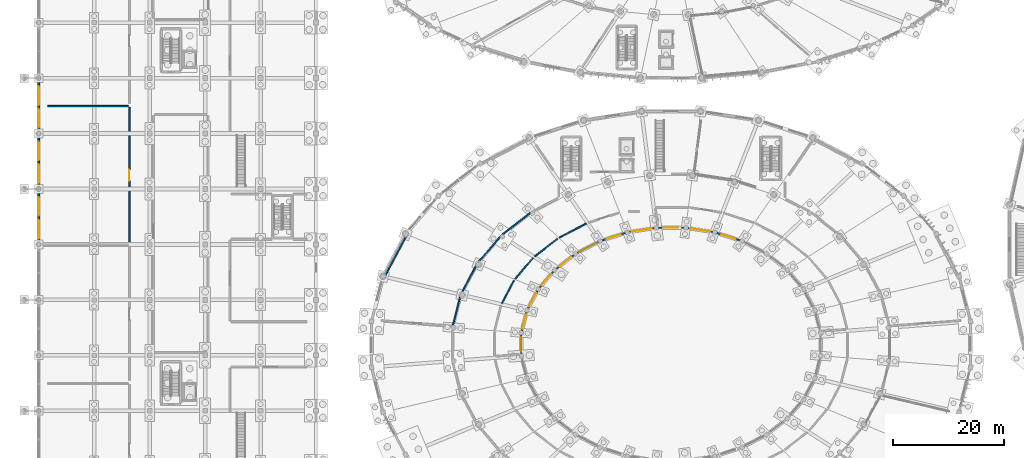
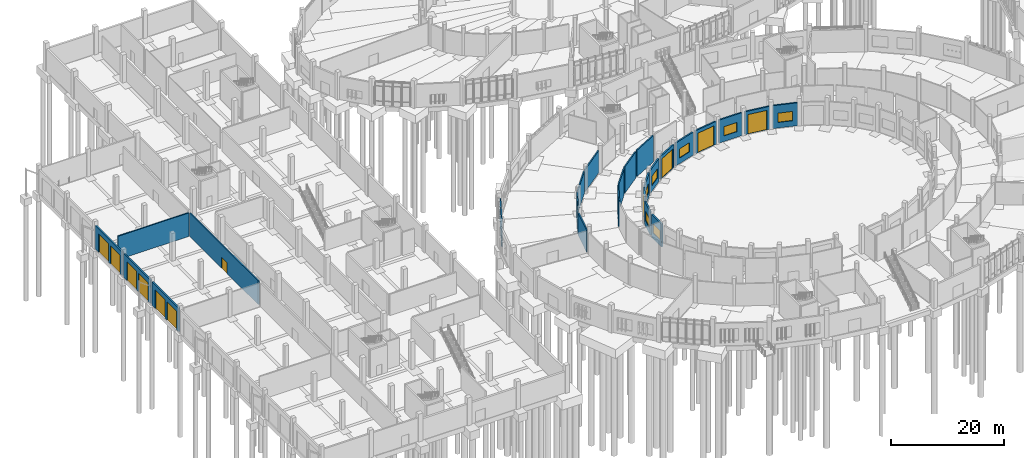
# One storey, part 80 of 140: 25 walls, 10 doors, 8 windows, 18 openings.
"""IFC4 building model written with IfcOpenShell, lengths in metres."""

from ifc_helpers import new_model, si_unit, direction, frame, frame_2d, origin, place, context, subcontext, project, spatial, rectangle, extrude, material, layer, layer_set, type_object, element, fill, save


model = new_model("IFC4")

# Units and contexts
model_context = context("Model", 3, precision=1e-05, world=origin(), true_north=direction((0.0, 1.0)))
body_context = subcontext(model_context, "Body", "Model", "MODEL_VIEW")
ifc_project = project(units=[si_unit("LENGTHUNIT", "METRE"), si_unit("AREAUNIT", "SQUARE_METRE"), si_unit("VOLUMEUNIT", "CUBIC_METRE"), si_unit("PLANEANGLEUNIT", "RADIAN"), si_unit("MASSUNIT", "GRAM", prefix="KILO")], contexts=[model_context])

# Site, building, storey
site_placement = place(None, origin())
site = spatial("IfcSite", under=ifc_project, at=site_placement, CompositionType="ELEMENT")
building_placement = place(site_placement, origin())
building = spatial("IfcBuilding", under=site, at=building_placement, Name="Corvandel Quay Wholesale Market", CompositionType="ELEMENT")
storey_placement = place(building_placement, origin())
storey = spatial("IfcBuildingStorey", under=building, at=storey_placement, Name="L00", CompositionType="ELEMENT", Elevation=0.0)

# Walls
ifc_material_1 = material(Name="Lightweight concrete blockwork", Category="masonry")
ifc_layer_1 = layer(ifc_material_1, 0.239990234375)
ifc_layer_set_1 = layer_set([ifc_layer_1], Name="Lightweight concrete blockwork")
wall_type_1 = type_object("IfcWallType", Name="Fire Compartment Partition PT01 240", PredefinedType="PARTITIONING", material=ifc_layer_set_1)
wall_1_placement = place(storey_placement, frame((62.44140625, 54.34326171875, 0.0), z_axis=(0.0, 0.0, 1.0), x_axis=(0.470163984021, 0.88257907755, 0.0)))
element("IfcWall", 1, at=wall_1_placement, inside=storey, type_object=wall_type_1, Name="Interior Wall IW-0369", PredefinedType="PARTITIONING", context=body_context, shape_type="SweptSolid", body=[
    extrude(rectangle(XDim=8.155029296875, YDim=0.239990234375, at=frame_2d((4.07763671875, 0.0))), origin(), (0.0, 0.0, 1.0), 4.830078125),
])
wall_2_placement = place(storey_placement, frame((88.71630859375, 65.7509765625, 0.0), z_axis=(0.0, 0.0, 1.0), x_axis=(-0.78948991775, -0.613763529197, 0.0)))
element("IfcWall", 2, at=wall_2_placement, inside=storey, type_object=wall_type_1, Name="Interior Wall IW-0373", PredefinedType="PARTITIONING", context=body_context, shape_type="SweptSolid", body=[
    extrude(rectangle(XDim=6.490966796875, YDim=0.239990234375, at=frame_2d((3.24560546875, 0.0))), origin(), (0.0, 0.0, 1.0), 4.780029296875),
])
wall_3_placement = place(storey_placement, frame((83.2744140625, 61.465087890625, 0.0), z_axis=(0.0, 0.0, 1.0), x_axis=(-0.65209276893, -0.75813918294, 0.0)))
element("IfcWall", 3, at=wall_3_placement, inside=storey, type_object=wall_type_1, Name="Interior Wall IW-0374", PredefinedType="PARTITIONING", context=body_context, shape_type="SweptSolid", body=[
    extrude(rectangle(XDim=6.190673828125, YDim=0.239990234375, at=frame_2d((3.09521484375, 0.0))), origin(), (0.0, 0.0, 1.0), 4.780029296875),
])
wall_4_placement = place(storey_placement, frame((78.990478515625, 56.410888671875, 0.0), z_axis=(0.0, 0.0, 1.0), x_axis=(-0.4709558388, -0.882156787595, 0.0)))
element("IfcWall", 4, at=wall_4_placement, inside=storey, type_object=wall_type_1, Name="Interior Wall IW-0375", PredefinedType="PARTITIONING", context=body_context, shape_type="SweptSolid", body=[
    extrude(rectangle(XDim=5.928466796875, YDim=0.239990234375, at=frame_2d((2.96435546875, 0.0))), origin(), (0.0, 0.0, 1.0), 4.780029296875),
])
wall_5_placement = place(storey_placement, frame((76.040283203125, 50.77392578125, 0.0), z_axis=(0.0, 0.0, 1.0), x_axis=(-0.248144059194, -0.968723142021, 0.0)))
element("IfcWall", 5, at=wall_5_placement, inside=storey, type_object=wall_type_1, Name="Interior Wall IW-0376", PredefinedType="PARTITIONING", context=body_context, shape_type="SweptSolid", body=[
    extrude(rectangle(XDim=5.434814453125, YDim=0.239990234375, at=frame_2d((2.71728515625, 0.0))), origin(), (0.0, 0.0, 1.0), 4.780029296875),
])
wall_6_placement = place(storey_placement, frame((83.497314453125, 49.375244140625, 0.0), z_axis=(0.0, 0.0, 1.0), x_axis=(0.469990490092, 0.882671478651, 0.0)))
element("IfcWall", 6, at=wall_6_placement, inside=storey, type_object=wall_type_1, Name="Interior Wall IW-0416", PredefinedType="PARTITIONING", context=body_context, shape_type="SweptSolid", body=[
    extrude(rectangle(XDim=4.6435546875, YDim=0.239990234375, at=frame_2d((2.32177734375, 0.0))), origin(), (0.0, 0.0, 1.0), 5.679931640625),
])
wall_7_placement = place(storey_placement, frame((85.926513671875, 53.8349609375, 0.0), z_axis=(0.0, 0.0, 1.0), x_axis=(0.651612898083, 0.758551666699, 0.0)))
element("IfcWall", 7, at=wall_7_placement, inside=storey, type_object=wall_type_1, Name="Interior Wall IW-0417", PredefinedType="PARTITIONING", context=body_context, shape_type="SweptSolid", body=[
    extrude(rectangle(XDim=4.892578125, YDim=0.239990234375, at=frame_2d((2.4462890625, 0.0))), origin(), (0.0, 0.0, 1.0), 5.679931640625),
])
wall_8_placement = place(storey_placement, frame((89.431640625, 57.84814453125, 0.0), z_axis=(0.0, 0.0, 1.0), x_axis=(0.789326793675, 0.613973299734, 0.0)))
element("IfcWall", 8, at=wall_8_placement, inside=storey, type_object=wall_type_1, Name="Interior Wall IW-0418", PredefinedType="PARTITIONING", context=body_context, shape_type="SweptSolid", body=[
    extrude(rectangle(XDim=5.1708984375, YDim=0.239990234375, at=frame_2d((2.58544921875, 0.0))), origin(), (0.0, 0.0, 1.0), 5.679931640625),
])
wall_9_placement = place(storey_placement, frame((93.882080078125, 61.259521484375, 0.0), z_axis=(0.0, 0.0, 1.0), x_axis=(0.88734982981, 0.461096822301, 0.0)))
element("IfcWall", 9, at=wall_9_placement, inside=storey, type_object=wall_type_1, Name="Interior Wall IW-0419", PredefinedType="PARTITIONING", context=body_context, shape_type="SweptSolid", body=[
    extrude(rectangle(XDim=5.437255859375, YDim=0.239990234375, at=frame_2d((2.71875, 0.0))), origin(), (0.0, 0.0, 1.0), 5.679931640625),
])
wall_10_placement = place(storey_placement, frame((1.669921875, 84.93994140625, 0.0), z_axis=(0.0, 0.0, 1.0), x_axis=(1.0, 0.0, 0.0)))
element("IfcWall", 10, at=wall_10_placement, inside=storey, type_object=wall_type_1, Name="Interior Wall IW-0769", PredefinedType="PARTITIONING", context=body_context, shape_type="SweptSolid", body=[
    extrude(rectangle(XDim=14.4501953125, YDim=0.239990234375, at=frame_2d((7.22509765625, 0.0))), origin(), (0.0, 0.0, 1.0), 5.080078125),
])

# Wall, opening, door
wall_11_placement = place(storey_placement, frame((16.340087890625, 84.719970703125, 0.0), z_axis=(0.0, 0.0, 1.0), x_axis=(0.0, -1.0, 0.0)))
wall_11 = element("IfcWall", 11, at=wall_11_placement, inside=storey, type_object=wall_type_1, Name="Interior Wall IW-0770", PredefinedType="PARTITIONING", context=body_context, shape_type="SweptSolid", body=[
    extrude(rectangle(XDim=24.239990234375, YDim=0.239990234375, at=frame_2d((12.1201171875, 0.0))), origin(), (0.0, 0.0, 1.0), 5.080078125),
])
opening_1_placement = place(wall_11_placement, frame((11.27001953125, 0.0, 0.0)))
opening_1 = element("IfcOpeningElement", 12, at=opening_1_placement, cuts=wall_11, Name="Opening L00-D112", PredefinedType="OPENING", context=body_context, shape_type="SweptSolid", body=[
    extrude(rectangle(XDim=2.0, YDim=2.35009765625, at=frame_2d((1.0, 1.175048828125))), frame((0.0, 0.1298828125, 0.0), z_axis=(0.0, -1.0, 0.0), x_axis=(1.0, 0.0, 0.0)), (0.0, 0.0, 1.0), 0.260009765625),
])
ifc_material_2 = material(Name="Heavy-duty anodised aluminium", Category="aluminium")
door_type_1 = type_object("IfcDoorType", Name="Trading Stall Double Door ID05 2000x2350", OperationType="DOUBLE_DOOR_SINGLE_SWING", PredefinedType="DOOR", material=ifc_material_2)
door_1_placement = place(opening_1_placement, origin())
door_1 = element("IfcDoor", 13, at=door_1_placement, inside=storey, type_object=door_type_1, Name="Refrigerated Truck Loading Dock Bay 3 Door", OperationType="DOUBLE_DOOR_SINGLE_SWING", OverallHeight=2.35009765625, OverallWidth=2.0, PredefinedType="DOOR", context=body_context, shape_type="SweptSolid", body=[
    extrude(rectangle(XDim=2.0, YDim=2.35009765625, at=frame_2d((1.0, 1.175048828125))), frame((0.0, 0.02490234375, 0.0), z_axis=(0.0, -1.0, 0.0), x_axis=(1.0, 0.0, 0.0)), (0.0, 0.0, 1.0), 0.050048828125),
])
fill(opening_1, door_1)

# Wall, opening, window
ifc_material_3 = material(Name="Precast concrete C45/55", Category="concrete")
ifc_layer_2 = layer(ifc_material_3, 0.300048828125)
ifc_layer_set_2 = layer_set([ifc_layer_2], Name="Precast concrete C45/55")
wall_type_2 = type_object("IfcWallType", Name="Loading Dock Apron Precast Wall EW05 300", PredefinedType="SOLIDWALL", material=ifc_layer_set_2)
wall_12_placement = place(storey_placement, frame((126.5224609375, 60.69580078125, 0.0), z_axis=(0.0, 0.0, 1.0), x_axis=(-0.951803081213, 0.306709788879, 0.0)))
wall_12 = element("IfcWall", 14, at=wall_12_placement, inside=storey, type_object=wall_type_2, Name="Exterior Wall EW-0017", PredefinedType="SOLIDWALL", context=body_context, shape_type="SweptSolid", body=[
    extrude(rectangle(XDim=4.6015625, YDim=0.300048828125, at=frame_2d((2.30078125, 0.0))), origin(), (0.0, 0.0, 1.0), 4.949951171875),
])
opening_2_placement = place(wall_12_placement, frame((1.0009765625, 0.0, 1.199951171875)))
opening_2 = element("IfcOpeningElement", 15, at=opening_2_placement, cuts=wall_12, Name="Opening L00-W010", PredefinedType="OPENING", context=body_context, shape_type="SweptSolid", body=[
    extrude(rectangle(XDim=2.60009765625, YDim=2.0, at=frame_2d((1.300048828125, 1.0))), frame((0.0, 0.159912109375, 0.0), z_axis=(0.0, -1.0, 0.0), x_axis=(1.0, 0.0, 0.0)), (0.0, 0.0, 1.0), 0.320068359375),
])
ifc_material_4 = material(Name="Thermally broken bronze anodised aluminium and solar-control low-E double glazing", Category="aluminium")
window_type = type_object("IfcWindowType", Name="Yard Overlook Window WN05 2600x2000", PartitioningType="SINGLE_PANEL", PredefinedType="WINDOW", material=ifc_material_4)
window_1_placement = place(opening_2_placement, origin())
window_1 = element("IfcWindow", 16, at=window_1_placement, inside=storey, type_object=window_type, Name="Window L00-W010", OverallHeight=2.0, OverallWidth=2.60009765625, PartitioningType="SINGLE_PANEL", PredefinedType="WINDOW", context=body_context, shape_type="SweptSolid", body=[
    extrude(rectangle(XDim=2.60009765625, YDim=2.0, at=frame_2d((1.300048828125, 1.0))), frame((0.0, 0.030029296875, 0.0), z_axis=(0.0, -1.0, 0.0), x_axis=(1.0, 0.0, 0.0)), (0.0, 0.0, 1.0), 0.06005859375),
])
fill(opening_2, window_1)

# Wall, opening, door
wall_13_placement = place(storey_placement, frame((121.599365234375, 62.23583984375, 0.0), z_axis=(0.0, 0.0, 1.0), x_axis=(-0.988245159336, 0.152877418377, 0.0)))
wall_13 = element("IfcWall", 17, at=wall_13_placement, inside=storey, type_object=wall_type_2, Name="Exterior Wall EW-0019", PredefinedType="SOLIDWALL", context=body_context, shape_type="SweptSolid", body=[
    extrude(rectangle(XDim=4.718994140625, YDim=0.300048828125, at=frame_2d((2.359375, 0.0))), origin(), (0.0, 0.0, 1.0), 4.949951171875),
])
opening_3_placement = place(wall_13_placement, frame((0.56005859375, 0.0, 0.0)))
opening_3 = element("IfcOpeningElement", 18, at=opening_3_placement, cuts=wall_13, Name="Opening L00-D003", PredefinedType="OPENING", context=body_context, shape_type="SweptSolid", body=[
    extrude(rectangle(XDim=3.60009765625, YDim=4.199951171875, at=frame_2d((1.800048828125, 2.10009765625))), frame((0.0, 0.159912109375, 0.0), z_axis=(0.0, -1.0, 0.0), x_axis=(1.0, 0.0, 0.0)), (0.0, 0.0, 1.0), 0.320068359375),
])
ifc_material_5 = material(Name="Perforated galvanised steel slats", Category="steel")
door_type_2 = type_object("IfcDoorType", Name="Produce Yard Apron Roller Shutter RS02 3600x4200", OperationType="ROLLINGUP", PredefinedType="DOOR", material=ifc_material_5)
door_2_placement = place(opening_3_placement, origin())
door_2 = element("IfcDoor", 19, at=door_2_placement, inside=storey, type_object=door_type_2, Name="Yard Loading Door V1-06", OperationType="ROLLINGUP", OverallHeight=4.199951171875, OverallWidth=3.60009765625, PredefinedType="DOOR", context=body_context, shape_type="SweptSolid", body=[
    extrude(rectangle(XDim=3.60009765625, YDim=4.199951171875, at=frame_2d((1.800048828125, 2.10009765625))), frame((0.0, 0.02490234375, 0.0), z_axis=(0.0, -1.0, 0.0), x_axis=(1.0, 0.0, 0.0)), (0.0, 0.0, 1.0), 0.050048828125),
])
fill(opening_3, door_2)

# Wall, opening, window
wall_14_placement = place(storey_placement, frame((116.37890625, 63.0, 0.0), z_axis=(0.0, 0.0, 1.0), x_axis=(-1.0, 0.0, 0.0)))
wall_14 = element("IfcWall", 20, at=wall_14_placement, inside=storey, type_object=wall_type_2, Name="Exterior Wall EW-0021", PredefinedType="SOLIDWALL", context=body_context, shape_type="SweptSolid", body=[
    extrude(rectangle(XDim=4.7578125, YDim=0.300048828125, at=frame_2d((2.37890625, 0.0))), origin(), (0.0, 0.0, 1.0), 4.949951171875),
])
opening_4_placement = place(wall_14_placement, frame((1.0791015625, 0.0, 1.199951171875)))
opening_4 = element("IfcOpeningElement", 21, at=opening_4_placement, cuts=wall_14, Name="Opening L00-W013", PredefinedType="OPENING", context=body_context, shape_type="SweptSolid", body=[
    extrude(rectangle(XDim=2.60009765625, YDim=2.0, at=frame_2d((1.300048828125, 1.0))), frame((0.0, 0.159912109375, 0.0), z_axis=(0.0, -1.0, 0.0), x_axis=(1.0, 0.0, 0.0)), (0.0, 0.0, 1.0), 0.320068359375),
])
window_2_placement = place(opening_4_placement, origin())
window_2 = element("IfcWindow", 22, at=window_2_placement, inside=storey, type_object=window_type, Name="Window L00-W013", OverallHeight=2.0, OverallWidth=2.60009765625, PartitioningType="SINGLE_PANEL", PredefinedType="WINDOW", context=body_context, shape_type="SweptSolid", body=[
    extrude(rectangle(XDim=2.60009765625, YDim=2.0, at=frame_2d((1.300048828125, 1.0))), frame((0.0, 0.030029296875, 0.0), z_axis=(0.0, -1.0, 0.0), x_axis=(1.0, 0.0, 0.0)), (0.0, 0.0, 1.0), 0.06005859375),
])
fill(opening_4, window_2)

# Wall, opening, door
wall_15_placement = place(storey_placement, frame((111.064208984375, 62.957275390625, 0.0), z_axis=(0.0, 0.0, 1.0), x_axis=(-0.988245159336, -0.152877418377, 0.0)))
wall_15 = element("IfcWall", 23, at=wall_15_placement, inside=storey, type_object=wall_type_2, Name="Exterior Wall EW-0024", PredefinedType="SOLIDWALL", context=body_context, shape_type="SweptSolid", body=[
    extrude(rectangle(XDim=4.718994140625, YDim=0.300048828125, at=frame_2d((2.359375, 0.0))), origin(), (0.0, 0.0, 1.0), 4.949951171875),
])
opening_5_placement = place(wall_15_placement, frame((0.56005859375, 0.0, 0.0)))
opening_5 = element("IfcOpeningElement", 24, at=opening_5_placement, cuts=wall_15, Name="Opening L00-D006", PredefinedType="OPENING", context=body_context, shape_type="SweptSolid", body=[
    extrude(rectangle(XDim=3.60009765625, YDim=4.199951171875, at=frame_2d((1.800048828125, 2.10009765625))), frame((0.0, 0.159912109375, 0.0), z_axis=(0.0, -1.0, 0.0), x_axis=(1.0, 0.0, 0.0)), (0.0, 0.0, 1.0), 0.320068359375),
])
door_3_placement = place(opening_5_placement, origin())
door_3 = element("IfcDoor", 25, at=door_3_placement, inside=storey, type_object=door_type_2, Name="Yard Loading Door V1-08", OperationType="ROLLINGUP", OverallHeight=4.199951171875, OverallWidth=3.60009765625, PredefinedType="DOOR", context=body_context, shape_type="SweptSolid", body=[
    extrude(rectangle(XDim=3.60009765625, YDim=4.199951171875, at=frame_2d((1.800048828125, 2.10009765625))), frame((0.0, 0.02490234375, 0.0), z_axis=(0.0, -1.0, 0.0), x_axis=(1.0, 0.0, 0.0)), (0.0, 0.0, 1.0), 0.050048828125),
])
fill(opening_5, door_3)

# Wall, opening, window
wall_16_placement = place(storey_placement, frame((105.857421875, 62.107177734375, 0.0), z_axis=(0.0, 0.0, 1.0), x_axis=(-0.951803081213, -0.306709788879, 0.0)))
wall_16 = element("IfcWall", 26, at=wall_16_placement, inside=storey, type_object=wall_type_2, Name="Exterior Wall EW-0027", PredefinedType="SOLIDWALL", context=body_context, shape_type="SweptSolid", body=[
    extrude(rectangle(XDim=4.6015625, YDim=0.300048828125, at=frame_2d((2.30078125, 0.0))), origin(), (0.0, 0.0, 1.0), 4.949951171875),
])
opening_6_placement = place(wall_16_placement, frame((1.0009765625, 0.0, 1.199951171875)))
opening_6 = element("IfcOpeningElement", 27, at=opening_6_placement, cuts=wall_16, Name="Opening L00-W016", PredefinedType="OPENING", context=body_context, shape_type="SweptSolid", body=[
    extrude(rectangle(XDim=2.60009765625, YDim=2.0, at=frame_2d((1.300048828125, 1.0))), frame((0.0, 0.159912109375, 0.0), z_axis=(0.0, -1.0, 0.0), x_axis=(1.0, 0.0, 0.0)), (0.0, 0.0, 1.0), 0.320068359375),
])
window_3_placement = place(opening_6_placement, origin())
window_3 = element("IfcWindow", 28, at=window_3_placement, inside=storey, type_object=window_type, Name="Window L00-W016", OverallHeight=2.0, OverallWidth=2.60009765625, PartitioningType="SINGLE_PANEL", PredefinedType="WINDOW", context=body_context, shape_type="SweptSolid", body=[
    extrude(rectangle(XDim=2.60009765625, YDim=2.0, at=frame_2d((1.300048828125, 1.0))), frame((0.0, 0.030029296875, 0.0), z_axis=(0.0, -1.0, 0.0), x_axis=(1.0, 0.0, 0.0)), (0.0, 0.0, 1.0), 0.06005859375),
])
fill(opening_6, window_3)

# Wall, opening, door
wall_17_placement = place(storey_placement, frame((100.96240234375, 60.48095703125, 0.0), z_axis=(0.0, 0.0, 1.0), x_axis=(-0.887318897671, -0.461156344243, 0.0)))
wall_17 = element("IfcWall", 29, at=wall_17_placement, inside=storey, type_object=wall_type_2, Name="Exterior Wall EW-0029", PredefinedType="SOLIDWALL", context=body_context, shape_type="SweptSolid", body=[
    extrude(rectangle(XDim=4.423095703125, YDim=0.300048828125, at=frame_2d((2.21142578125, 0.0))), origin(), (0.0, 0.0, 1.0), 4.949951171875),
])
opening_7_placement = place(wall_17_placement, frame((0.412109375, 0.0, 0.0)))
opening_7 = element("IfcOpeningElement", 30, at=opening_7_placement, cuts=wall_17, Name="Opening L00-D007", PredefinedType="OPENING", context=body_context, shape_type="SweptSolid", body=[
    extrude(rectangle(XDim=3.60009765625, YDim=4.199951171875, at=frame_2d((1.800048828125, 2.10009765625))), frame((0.0, 0.159912109375, 0.0), z_axis=(0.0, -1.0, 0.0), x_axis=(1.0, 0.0, 0.0)), (0.0, 0.0, 1.0), 0.320068359375),
])
door_4_placement = place(opening_7_placement, origin())
door_4 = element("IfcDoor", 31, at=door_4_placement, inside=storey, type_object=door_type_2, Name="Yard Loading Door V1-10", OperationType="ROLLINGUP", OverallHeight=4.199951171875, OverallWidth=3.60009765625, PredefinedType="DOOR", context=body_context, shape_type="SweptSolid", body=[
    extrude(rectangle(XDim=3.60009765625, YDim=4.199951171875, at=frame_2d((1.800048828125, 2.10009765625))), frame((0.0, 0.02490234375, 0.0), z_axis=(0.0, -1.0, 0.0), x_axis=(1.0, 0.0, 0.0)), (0.0, 0.0, 1.0), 0.050048828125),
])
fill(opening_7, door_4)

# Wall, opening, window
wall_18_placement = place(storey_placement, frame((96.568115234375, 58.14013671875, 0.0), z_axis=(0.0, 0.0, 1.0), x_axis=(-0.789377228816, -0.613908454598, 0.0)))
wall_18 = element("IfcWall", 32, at=wall_18_placement, inside=storey, type_object=wall_type_2, Name="Exterior Wall EW-0033", PredefinedType="SOLIDWALL", context=body_context, shape_type="SweptSolid", body=[
    extrude(rectangle(XDim=4.20458984375, YDim=0.300048828125, at=frame_2d((2.102294921875, 0.0))), origin(), (0.0, 0.0, 1.0), 4.949951171875),
])
opening_8_placement = place(wall_18_placement, frame((0.802001953125, 0.0, 1.199951171875)))
opening_8 = element("IfcOpeningElement", 33, at=opening_8_placement, cuts=wall_18, Name="Opening L00-W019", PredefinedType="OPENING", context=body_context, shape_type="SweptSolid", body=[
    extrude(rectangle(XDim=2.60009765625, YDim=2.0, at=frame_2d((1.300048828125, 1.0))), frame((0.0, 0.159912109375, 0.0), z_axis=(0.0, -1.0, 0.0), x_axis=(1.0, 0.0, 0.0)), (0.0, 0.0, 1.0), 0.320068359375),
])
window_4_placement = place(opening_8_placement, origin())
window_4 = element("IfcWindow", 34, at=window_4_placement, inside=storey, type_object=window_type, Name="Window L00-W019", OverallHeight=2.0, OverallWidth=2.60009765625, PartitioningType="SINGLE_PANEL", PredefinedType="WINDOW", context=body_context, shape_type="SweptSolid", body=[
    extrude(rectangle(XDim=2.60009765625, YDim=2.0, at=frame_2d((1.300048828125, 1.0))), frame((0.0, 0.030029296875, 0.0), z_axis=(0.0, -1.0, 0.0), x_axis=(1.0, 0.0, 0.0)), (0.0, 0.0, 1.0), 0.06005859375),
])
fill(opening_8, window_4)

wall_19_placement = place(storey_placement, frame((92.845458984375, 55.174560546875, 0.0), z_axis=(0.0, 0.0, 1.0), x_axis=(-0.651580132855, -0.758579811535, 0.0)))
wall_19 = element("IfcWall", 35, at=wall_19_placement, inside=storey, type_object=wall_type_2, Name="Exterior Wall EW-0035", PredefinedType="SOLIDWALL", context=body_context, shape_type="SweptSolid", body=[
    extrude(rectangle(XDim=3.974609375, YDim=0.300048828125, at=frame_2d((1.9873046875, 0.0))), origin(), (0.0, 0.0, 1.0), 4.949951171875),
])
opening_9_placement = place(wall_19_placement, frame((0.68701171875, 0.0, 1.199951171875)))
opening_9 = element("IfcOpeningElement", 36, at=opening_9_placement, cuts=wall_19, Name="Opening L00-W022", PredefinedType="OPENING", context=body_context, shape_type="SweptSolid", body=[
    extrude(rectangle(XDim=2.60009765625, YDim=2.0, at=frame_2d((1.300048828125, 1.0))), frame((0.0, 0.159912109375, 0.0), z_axis=(0.0, -1.0, 0.0), x_axis=(1.0, 0.0, 0.0)), (0.0, 0.0, 1.0), 0.320068359375),
])
window_5_placement = place(opening_9_placement, origin())
window_5 = element("IfcWindow", 37, at=window_5_placement, inside=storey, type_object=window_type, Name="Window L00-W022", OverallHeight=2.0, OverallWidth=2.60009765625, PartitioningType="SINGLE_PANEL", PredefinedType="WINDOW", context=body_context, shape_type="SweptSolid", body=[
    extrude(rectangle(XDim=2.60009765625, YDim=2.0, at=frame_2d((1.300048828125, 1.0))), frame((0.0, 0.030029296875, 0.0), z_axis=(0.0, -1.0, 0.0), x_axis=(1.0, 0.0, 0.0)), (0.0, 0.0, 1.0), 0.06005859375),
])
fill(opening_9, window_5)

wall_20_placement = place(storey_placement, frame((89.94140625, 51.69970703125, 0.0), z_axis=(0.0, 0.0, 1.0), x_axis=(-0.469993150061, -0.882670062309, 0.0)))
wall_20 = element("IfcWall", 38, at=wall_20_placement, inside=storey, type_object=wall_type_2, Name="Exterior Wall EW-0038", PredefinedType="SOLIDWALL", context=body_context, shape_type="SweptSolid", body=[
    extrude(rectangle(XDim=3.769775390625, YDim=0.300048828125, at=frame_2d((1.884765625, 0.0))), origin(), (0.0, 0.0, 1.0), 4.949951171875),
])
opening_10_placement = place(wall_20_placement, frame((0.5849609375, 0.0, 1.199951171875)))
opening_10 = element("IfcOpeningElement", 39, at=opening_10_placement, cuts=wall_20, Name="Opening L00-W023", PredefinedType="OPENING", context=body_context, shape_type="SweptSolid", body=[
    extrude(rectangle(XDim=2.60009765625, YDim=2.0, at=frame_2d((1.300048828125, 1.0))), frame((0.0, 0.159912109375, 0.0), z_axis=(0.0, -1.0, 0.0), x_axis=(1.0, 0.0, 0.0)), (0.0, 0.0, 1.0), 0.320068359375),
])
window_6_placement = place(opening_10_placement, origin())
window_6 = element("IfcWindow", 40, at=window_6_placement, inside=storey, type_object=window_type, Name="Window L00-W023", OverallHeight=2.0, OverallWidth=2.60009765625, PartitioningType="SINGLE_PANEL", PredefinedType="WINDOW", context=body_context, shape_type="SweptSolid", body=[
    extrude(rectangle(XDim=2.60009765625, YDim=2.0, at=frame_2d((1.300048828125, 1.0))), frame((0.0, 0.030029296875, 0.0), z_axis=(0.0, -1.0, 0.0), x_axis=(1.0, 0.0, 0.0)), (0.0, 0.0, 1.0), 0.06005859375),
])
fill(opening_10, window_6)

wall_21_placement = place(storey_placement, frame((87.968505859375, 47.853759765625, 0.0), z_axis=(0.0, 0.0, 1.0), x_axis=(-0.247868505824, -0.968793684858, 0.0)))
wall_21 = element("IfcWall", 41, at=wall_21_placement, inside=storey, type_object=wall_type_2, Name="Exterior Wall EW-0041", PredefinedType="SOLIDWALL", context=body_context, shape_type="SweptSolid", body=[
    extrude(rectangle(XDim=3.627685546875, YDim=0.300048828125, at=frame_2d((1.81396484375, 0.0))), origin(), (0.0, 0.0, 1.0), 4.949951171875),
])
opening_11_placement = place(wall_21_placement, frame((0.513916015625, 0.0, 1.199951171875)))
opening_11 = element("IfcOpeningElement", 42, at=opening_11_placement, cuts=wall_21, Name="Opening L00-W025", PredefinedType="OPENING", context=body_context, shape_type="SweptSolid", body=[
    extrude(rectangle(XDim=2.60009765625, YDim=2.0, at=frame_2d((1.300048828125, 1.0))), frame((0.0, 0.159912109375, 0.0), z_axis=(0.0, -1.0, 0.0), x_axis=(1.0, 0.0, 0.0)), (0.0, 0.0, 1.0), 0.320068359375),
])
window_7_placement = place(opening_11_placement, origin())
window_7 = element("IfcWindow", 43, at=window_7_placement, inside=storey, type_object=window_type, Name="Window L00-W025", OverallHeight=2.0, OverallWidth=2.60009765625, PartitioningType="SINGLE_PANEL", PredefinedType="WINDOW", context=body_context, shape_type="SweptSolid", body=[
    extrude(rectangle(XDim=2.60009765625, YDim=2.0, at=frame_2d((1.300048828125, 1.0))), frame((0.0, 0.030029296875, 0.0), z_axis=(0.0, -1.0, 0.0), x_axis=(1.0, 0.0, 0.0)), (0.0, 0.0, 1.0), 0.06005859375),
])
fill(opening_11, window_7)

wall_22_placement = place(storey_placement, frame((87.0, 43.7880859375, 0.0), z_axis=(0.0, 0.0, 1.0), x_axis=(0.0, -1.0, 0.0)))
wall_22 = element("IfcWall", 44, at=wall_22_placement, inside=storey, type_object=wall_type_2, Name="Exterior Wall EW-0043", PredefinedType="SOLIDWALL", context=body_context, shape_type="SweptSolid", body=[
    extrude(rectangle(XDim=3.576171875, YDim=0.300048828125, at=frame_2d((1.7880859375, 0.0))), origin(), (0.0, 0.0, 1.0), 4.949951171875),
])
opening_12_placement = place(wall_22_placement, frame((0.488037109375, 0.0, 1.199951171875)))
opening_12 = element("IfcOpeningElement", 45, at=opening_12_placement, cuts=wall_22, Name="Opening L00-W026", PredefinedType="OPENING", context=body_context, shape_type="SweptSolid", body=[
    extrude(rectangle(XDim=2.60009765625, YDim=2.0, at=frame_2d((1.300048828125, 1.0))), frame((0.0, 0.159912109375, 0.0), z_axis=(0.0, -1.0, 0.0), x_axis=(1.0, 0.0, 0.0)), (0.0, 0.0, 1.0), 0.320068359375),
])
window_8_placement = place(opening_12_placement, origin())
window_8 = element("IfcWindow", 46, at=window_8_placement, inside=storey, type_object=window_type, Name="Window L00-W026", OverallHeight=2.0, OverallWidth=2.60009765625, PartitioningType="SINGLE_PANEL", PredefinedType="WINDOW", context=body_context, shape_type="SweptSolid", body=[
    extrude(rectangle(XDim=2.60009765625, YDim=2.0, at=frame_2d((1.300048828125, 1.0))), frame((0.0, 0.030029296875, 0.0), z_axis=(0.0, -1.0, 0.0), x_axis=(1.0, 0.0, 0.0)), (0.0, 0.0, 1.0), 0.06005859375),
])
fill(opening_12, window_8)

# Wall, openings, doors
wall_23_placement = place(storey_placement, frame((0.0, 60.239990234375, 0.0), z_axis=(0.0, 0.0, 1.0), x_axis=(0.0, 1.0, 0.0)))
wall_23 = element("IfcWall", 47, at=wall_23_placement, inside=storey, type_object=wall_type_2, Name="Exterior Wall EW-0208", PredefinedType="SOLIDWALL", context=body_context, shape_type="SweptSolid", body=[
    extrude(rectangle(XDim=9.52001953125, YDim=0.300048828125, at=frame_2d((4.760009765625, 0.0))), origin(), (0.0, 0.0, 1.0), 5.080078125),
])
opening_13_placement = place(wall_23_placement, frame((0.800048828125, 0.0, 0.0)))
opening_13 = element("IfcOpeningElement", 48, at=opening_13_placement, cuts=wall_23, Name="Opening L00-D034", PredefinedType="OPENING", context=body_context, shape_type="SweptSolid", body=[
    extrude(rectangle(XDim=3.39990234375, YDim=4.0, at=frame_2d((1.699951171875, 2.0))), frame((0.0, 0.159912109375, 0.0), z_axis=(0.0, -1.0, 0.0), x_axis=(1.0, 0.0, 0.0)), (0.0, 0.0, 1.0), 0.320068359375),
])
opening_14_placement = place(wall_23_placement, frame((4.89990234375, 0.0, 0.0)))
opening_14 = element("IfcOpeningElement", 49, at=opening_14_placement, cuts=wall_23, Name="Opening L00-D035", PredefinedType="OPENING", context=body_context, shape_type="SweptSolid", body=[
    extrude(rectangle(XDim=3.39990234375, YDim=4.0, at=frame_2d((1.699951171875, 2.0))), frame((0.0, 0.159912109375, 0.0), z_axis=(0.0, -1.0, 0.0), x_axis=(1.0, 0.0, 0.0)), (0.0, 0.0, 1.0), 0.320068359375),
])
ifc_material_6 = material(Name="Insulated galvanised steel slats", Category="steel")
door_type_3 = type_object("IfcDoorType", Name="Refrigerated Dock Roller Shutter RS01 3400x4000", OperationType="ROLLINGUP", PredefinedType="DOOR", material=ifc_material_6)
door_5_placement = place(opening_13_placement, origin())
door_5 = element("IfcDoor", 50, at=door_5_placement, inside=storey, type_object=door_type_3, Name="Dock Bay Shutter A-11", OperationType="ROLLINGUP", OverallHeight=4.0, OverallWidth=3.39990234375, PredefinedType="DOOR", context=body_context, shape_type="SweptSolid", body=[
    extrude(rectangle(XDim=3.39990234375, YDim=4.0, at=frame_2d((1.699951171875, 2.0))), frame((0.0, 0.02490234375, 0.0), z_axis=(0.0, -1.0, 0.0), x_axis=(1.0, 0.0, 0.0)), (0.0, 0.0, 1.0), 0.050048828125),
])
fill(opening_13, door_5)
door_6_placement = place(opening_14_placement, origin())
door_6 = element("IfcDoor", 51, at=door_6_placement, inside=storey, type_object=door_type_3, Name="Dock Bay Shutter A-12", OperationType="ROLLINGUP", OverallHeight=4.0, OverallWidth=3.39990234375, PredefinedType="DOOR", context=body_context, shape_type="SweptSolid", body=[
    extrude(rectangle(XDim=3.39990234375, YDim=4.0, at=frame_2d((1.699951171875, 2.0))), frame((0.0, 0.02490234375, 0.0), z_axis=(0.0, -1.0, 0.0), x_axis=(1.0, 0.0, 0.0)), (0.0, 0.0, 1.0), 0.050048828125),
])
fill(opening_14, door_6)

wall_24_placement = place(storey_placement, frame((0.0, 70.239990234375, 0.0), z_axis=(0.0, 0.0, 1.0), x_axis=(0.0, 1.0, 0.0)))
wall_24 = element("IfcWall", 52, at=wall_24_placement, inside=storey, type_object=wall_type_2, Name="Exterior Wall EW-0210", PredefinedType="SOLIDWALL", context=body_context, shape_type="SweptSolid", body=[
    extrude(rectangle(XDim=9.52001953125, YDim=0.300048828125, at=frame_2d((4.760009765625, 0.0))), origin(), (0.0, 0.0, 1.0), 5.080078125),
])
opening_15_placement = place(wall_24_placement, frame((0.800048828125, 0.0, 0.0)))
opening_15 = element("IfcOpeningElement", 53, at=opening_15_placement, cuts=wall_24, Name="Opening L00-D036", PredefinedType="OPENING", context=body_context, shape_type="SweptSolid", body=[
    extrude(rectangle(XDim=3.39990234375, YDim=4.0, at=frame_2d((1.699951171875, 2.0))), frame((0.0, 0.159912109375, 0.0), z_axis=(0.0, -1.0, 0.0), x_axis=(1.0, 0.0, 0.0)), (0.0, 0.0, 1.0), 0.320068359375),
])
opening_16_placement = place(wall_24_placement, frame((4.89990234375, 0.0, 0.0)))
opening_16 = element("IfcOpeningElement", 54, at=opening_16_placement, cuts=wall_24, Name="Opening L00-D037", PredefinedType="OPENING", context=body_context, shape_type="SweptSolid", body=[
    extrude(rectangle(XDim=3.39990234375, YDim=4.0, at=frame_2d((1.699951171875, 2.0))), frame((0.0, 0.159912109375, 0.0), z_axis=(0.0, -1.0, 0.0), x_axis=(1.0, 0.0, 0.0)), (0.0, 0.0, 1.0), 0.320068359375),
])
door_7_placement = place(opening_15_placement, origin())
door_7 = element("IfcDoor", 55, at=door_7_placement, inside=storey, type_object=door_type_3, Name="Dock Bay Shutter A-13", OperationType="ROLLINGUP", OverallHeight=4.0, OverallWidth=3.39990234375, PredefinedType="DOOR", context=body_context, shape_type="SweptSolid", body=[
    extrude(rectangle(XDim=3.39990234375, YDim=4.0, at=frame_2d((1.699951171875, 2.0))), frame((0.0, 0.02490234375, 0.0), z_axis=(0.0, -1.0, 0.0), x_axis=(1.0, 0.0, 0.0)), (0.0, 0.0, 1.0), 0.050048828125),
])
fill(opening_15, door_7)
door_8_placement = place(opening_16_placement, origin())
door_8 = element("IfcDoor", 56, at=door_8_placement, inside=storey, type_object=door_type_3, Name="Dock Bay Shutter A-14", OperationType="ROLLINGUP", OverallHeight=4.0, OverallWidth=3.39990234375, PredefinedType="DOOR", context=body_context, shape_type="SweptSolid", body=[
    extrude(rectangle(XDim=3.39990234375, YDim=4.0, at=frame_2d((1.699951171875, 2.0))), frame((0.0, 0.02490234375, 0.0), z_axis=(0.0, -1.0, 0.0), x_axis=(1.0, 0.0, 0.0)), (0.0, 0.0, 1.0), 0.050048828125),
])
fill(opening_16, door_8)

wall_25_placement = place(storey_placement, frame((0.0, 80.239990234375, 0.0), z_axis=(0.0, 0.0, 1.0), x_axis=(0.0, 1.0, 0.0)))
wall_25 = element("IfcWall", 57, at=wall_25_placement, inside=storey, type_object=wall_type_2, Name="Exterior Wall EW-0212", PredefinedType="SOLIDWALL", context=body_context, shape_type="SweptSolid", body=[
    extrude(rectangle(XDim=9.52001953125, YDim=0.300048828125, at=frame_2d((4.760009765625, 0.0))), origin(), (0.0, 0.0, 1.0), 5.080078125),
])
opening_17_placement = place(wall_25_placement, frame((0.800048828125, 0.0, 0.0)))
opening_17 = element("IfcOpeningElement", 58, at=opening_17_placement, cuts=wall_25, Name="Opening L00-D038", PredefinedType="OPENING", context=body_context, shape_type="SweptSolid", body=[
    extrude(rectangle(XDim=3.39990234375, YDim=4.0, at=frame_2d((1.699951171875, 2.0))), frame((0.0, 0.159912109375, 0.0), z_axis=(0.0, -1.0, 0.0), x_axis=(1.0, 0.0, 0.0)), (0.0, 0.0, 1.0), 0.320068359375),
])
opening_18_placement = place(wall_25_placement, frame((4.89990234375, 0.0, 0.0)))
opening_18 = element("IfcOpeningElement", 59, at=opening_18_placement, cuts=wall_25, Name="Opening L00-D039", PredefinedType="OPENING", context=body_context, shape_type="SweptSolid", body=[
    extrude(rectangle(XDim=3.39990234375, YDim=4.0, at=frame_2d((1.699951171875, 2.0))), frame((0.0, 0.159912109375, 0.0), z_axis=(0.0, -1.0, 0.0), x_axis=(1.0, 0.0, 0.0)), (0.0, 0.0, 1.0), 0.320068359375),
])
door_9_placement = place(opening_17_placement, origin())
door_9 = element("IfcDoor", 60, at=door_9_placement, inside=storey, type_object=door_type_3, Name="Dock Bay Shutter A-15", OperationType="ROLLINGUP", OverallHeight=4.0, OverallWidth=3.39990234375, PredefinedType="DOOR", context=body_context, shape_type="SweptSolid", body=[
    extrude(rectangle(XDim=3.39990234375, YDim=4.0, at=frame_2d((1.699951171875, 2.0))), frame((0.0, 0.02490234375, 0.0), z_axis=(0.0, -1.0, 0.0), x_axis=(1.0, 0.0, 0.0)), (0.0, 0.0, 1.0), 0.050048828125),
])
fill(opening_17, door_9)
door_10_placement = place(opening_18_placement, origin())
door_10 = element("IfcDoor", 61, at=door_10_placement, inside=storey, type_object=door_type_3, Name="Dock Bay Shutter A-16", OperationType="ROLLINGUP", OverallHeight=4.0, OverallWidth=3.39990234375, PredefinedType="DOOR", context=body_context, shape_type="SweptSolid", body=[
    extrude(rectangle(XDim=3.39990234375, YDim=4.0, at=frame_2d((1.699951171875, 2.0))), frame((0.0, 0.02490234375, 0.0), z_axis=(0.0, -1.0, 0.0), x_axis=(1.0, 0.0, 0.0)), (0.0, 0.0, 1.0), 0.050048828125),
])
fill(opening_18, door_10)

save(model, "model.ifc")
